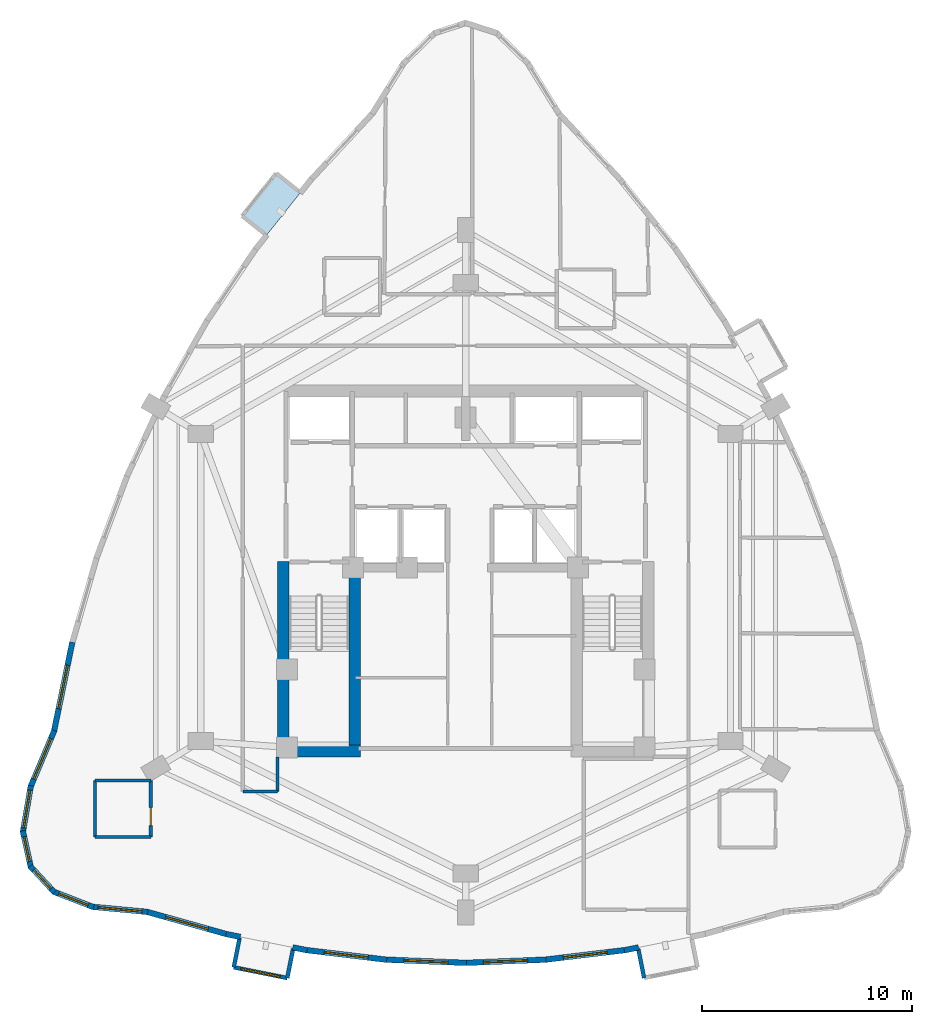
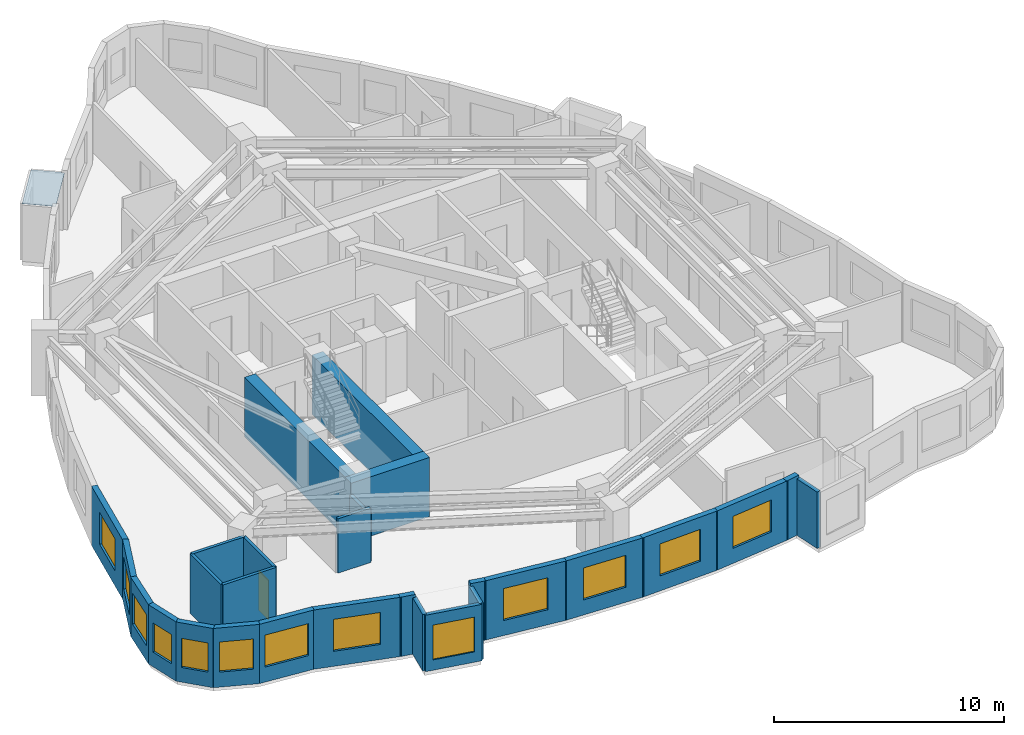
# One storey, part 4 of 9: 28 walls, 13 windows, 1 door, 1 plate, 14 openings.
"""IFC4 building model written with IfcOpenShell, lengths in metres."""

from ifc_helpers import new_model, si_unit, direction, frame, frame_2d, origin, place, context, subcontext, project, spatial, polyline, rectangle, outline, extrude, material, layer, layer_set, type_object, element, fill, save


model = new_model("IFC4")

# Units and contexts
model_context = context("Model", 3, precision=1e-05, world=origin(), true_north=direction((0.0, 1.0)))
body_context = subcontext(model_context, "Body", "Model", "MODEL_VIEW")
ifc_project = project(units=[si_unit("LENGTHUNIT", "METRE"), si_unit("AREAUNIT", "SQUARE_METRE"), si_unit("VOLUMEUNIT", "CUBIC_METRE"), si_unit("PLANEANGLEUNIT", "RADIAN"), si_unit("MASSUNIT", "GRAM", prefix="KILO")], contexts=[model_context])

# Site, building, storey
site_placement = place(None, origin())
site = spatial("IfcSite", under=ifc_project, at=site_placement, CompositionType="ELEMENT")
building_placement = place(site_placement, origin())
building = spatial("IfcBuilding", under=site, at=building_placement, Name="Miruveldt Soraemaru", CompositionType="ELEMENT")
storey_placement = place(building_placement, frame((0.0, 0.0, 180.89990234375)))
storey = spatial("IfcBuildingStorey", under=building, at=storey_placement, Name="L50", CompositionType="ELEMENT", Elevation=180.89990234375)

# Plate
ifc_material_1 = material(Name="Standing-seam titanium-zinc sheet", Category="aluminium")
ifc_layer_1 = layer(ifc_material_1, 0.011962890625, Name="Standing-seam titanium-zinc sheet", Category="aluminium")
ifc_layer_set_1 = layer_set([ifc_layer_1], Name="Standing-seam titanium-zinc sheet")
plate_type = type_object("IfcPlateType", Name="PLT-ZINC-12", PredefinedType="SHEET", material=ifc_layer_set_1)
plate_placement = place(storey_placement, frame((0.0, 0.0, 3.0)))
element("IfcPlate", 1, at=plate_placement, inside=storey, type_object=plate_type, Name="L50 Bay Window Zinc Hood Sheet 4", PredefinedType="SHEET", context=body_context, shape_type="SweptSolid", body=[
    extrude(outline(polyline([(36.142578125, 61.885986328125), (34.521240234375, 59.853515625), (33.3642578125, 60.776611328125), (34.985595703125, 62.80908203125), (36.142578125, 61.885986328125)])), origin(), (0.0, 0.0, 1.0), 0.01220703125),
])

# Walls
ifc_material_2 = material(Name="White powder-coated aluminium EN AW-6060 T6", Category="aluminium")
ifc_layer_2 = layer(ifc_material_2, 0.18994140625, Name="White powder-coated aluminium EN AW-6060 T6", Category="aluminium")
ifc_layer_set_2 = layer_set([ifc_layer_2], Name="White powder-coated aluminium EN AW-6060 T6")
wall_type_1 = type_object("IfcWallType", Name="WALL-BAY-ALU190", PredefinedType="SOLIDWALL", material=ifc_layer_set_2)
for number, where, z_axis, x_axis, name in (
    (2, (33.243896484375, 26.433349609375, 0.0), (0.0, 0.0, 1.0), (-0.195984352603, -0.980607022989, 0.0), "L50 Bay Window Side Cheek 1L"),
    (3, (35.51416015625, 24.526123046875, 0.0), (0.0, 0.0, 1.0), (0.195984352603, 0.980607022989, 0.0), "L50 Bay Window Side Cheek 1R"),
):
    element("IfcWall", number, at=place(storey_placement, frame(where, z_axis=z_axis, x_axis=x_axis)), inside=storey, type_object=wall_type_1, Name=name, PredefinedType="SOLIDWALL", context=body_context, shape_type="SweptSolid", body=[
        extrude(rectangle(XDim=1.425048828125, YDim=0.18994140625, at=frame_2d((0.71240234375, 0.0))), origin(), (0.0, 0.0, 1.0), 3.0),
    ])

# Wall, opening, window
wall_1_placement = place(storey_placement, frame((32.964599609375, 25.035888671875, 0.0), z_axis=(0.0, 0.0, 1.0), x_axis=(0.980591508741, -0.196061962104, 0.0)))
wall_1 = element("IfcWall", 4, at=wall_1_placement, inside=storey, type_object=wall_type_1, Name="L50 Bay Window Front Frame 1", PredefinedType="SOLIDWALL", context=body_context, shape_type="SweptSolid", body=[
    extrude(rectangle(XDim=2.60009765625, YDim=0.18994140625, at=frame_2d((1.300048828125, 0.0))), origin(), (0.0, 0.0, 1.0), 3.0),
])
opening_1_placement = place(wall_1_placement, frame((0.35009765625, 0.0, 0.550048828125)))
opening_1 = element("IfcOpeningElement", 5, at=opening_1_placement, cuts=wall_1, Name="Opening WN-6", PredefinedType="OPENING", context=body_context, shape_type="SweptSolid", body=[
    extrude(rectangle(XDim=1.89990234375, YDim=1.85009765625, at=frame_2d((0.949951171875, 0.925048828125))), frame((0.0, 0.10498046875, 0.0), z_axis=(0.0, -1.0, 0.0), x_axis=(1.0, 0.0, 0.0)), (0.0, 0.0, 1.0), 0.2099609375),
])
ifc_material_3 = material(Name="Triple low-e insulated glazing", Category="glass")
window_type_1 = type_object("IfcWindowType", Name="WIN-BAYW-1900x1850", PartitioningType="SINGLE_PANEL", PredefinedType="WINDOW", material=ifc_material_3)
window_1_placement = place(opening_1_placement, origin())
window_1 = element("IfcWindow", 6, at=window_1_placement, inside=storey, type_object=window_type_1, Name="L50 Projecting Bay Window 1", OverallHeight=1.85009765625, OverallWidth=1.89990234375, PartitioningType="SINGLE_PANEL", PredefinedType="WINDOW", context=body_context, shape_type="SweptSolid", body=[
    extrude(rectangle(XDim=1.89990234375, YDim=1.85009765625, at=frame_2d((0.949951171875, 0.925048828125))), frame((0.0, 0.030029296875, 0.0), z_axis=(0.0, -1.0, 0.0), x_axis=(1.0, 0.0, 0.0)), (0.0, 0.0, 1.0), 0.06005859375),
])
fill(opening_1, window_1)

# Walls
wall_2_placement = place(storey_placement, frame((52.20654296875, 25.923583984375, 0.0), z_axis=(0.0, 0.0, 1.0), x_axis=(0.195984352603, -0.980607022989, 0.0)))
element("IfcWall", 7, at=wall_2_placement, inside=storey, type_object=wall_type_1, Name="L50 Bay Window Side Cheek 2L", PredefinedType="SOLIDWALL", context=body_context, shape_type="SweptSolid", body=[
    extrude(rectangle(XDim=1.425048828125, YDim=0.18994140625, at=frame_2d((0.71240234375, 0.0))), origin(), (0.0, 0.0, 1.0), 3.0),
])
ifc_material_4 = material(Name="Concrete C70/85 (70 MPa)", Category="concrete")
ifc_layer_3 = layer(ifc_material_4, 0.550048828125, Name="Concrete C70/85 (70 MPa)", Category="concrete")
ifc_layer_set_3 = layer_set([ifc_layer_3], Name="Concrete C70/85 (70 MPa)")
wall_type_2 = type_object("IfcWallType", Name="WALL-CW-550", PredefinedType="SHEAR", material=ifc_layer_set_3)
wall_3_placement = place(storey_placement, frame((35.050048828125, 35.324951171875, 0.0), z_axis=(0.0, 0.0, 1.0), x_axis=(1.0, 0.0, 0.0)))
element("IfcWall", 8, at=wall_3_placement, inside=storey, type_object=wall_type_2, Name="L50 Central Core Shear Wall S1", PredefinedType="SHEAR", context=body_context, shape_type="SweptSolid", body=[
    extrude(rectangle(XDim=3.949951171875, YDim=0.550048828125, at=frame_2d((1.97509765625, 0.0))), origin(), (0.0, 0.0, 1.0), 3.150146484375),
])
wall_4_placement = place(storey_placement, frame((35.324951171875, 35.050048828125, 0.0), z_axis=(0.0, 0.0, 1.0), x_axis=(0.0, 1.0, 0.0)))
element("IfcWall", 9, at=wall_4_placement, inside=storey, type_object=wall_type_2, Name="L50 Central Core Shear Wall W1", PredefinedType="SHEAR", context=body_context, shape_type="SweptSolid", body=[
    extrude(rectangle(XDim=9.300048828125, YDim=0.550048828125, at=frame_2d((4.64990234375, 0.0))), origin(), (0.0, 0.0, 1.0), 3.150146484375),
])
wall_5_placement = place(storey_placement, frame((38.72509765625, 35.39990234375, 0.0), z_axis=(0.0, 0.0, 1.0), x_axis=(0.0, 1.0, 0.0)))
element("IfcWall", 10, at=wall_5_placement, inside=storey, type_object=wall_type_2, Name="L50 Central Core Shear Wall SW-INT", PredefinedType="SHEAR", context=body_context, shape_type="SweptSolid", body=[
    extrude(rectangle(XDim=8.9501953125, YDim=0.550048828125, at=frame_2d((4.47509765625, 0.0))), origin(), (0.0, 0.0, 1.0), 3.150146484375),
])

# Wall, opening, window
ifc_material_5 = material(Name="Precast concrete C45/55 (45 MPa)", Category="concrete")
ifc_layer_4 = layer(ifc_material_5, 0.27001953125, Name="Precast concrete C45/55 (45 MPa)", Category="concrete")
ifc_layer_set_4 = layer_set([ifc_layer_4], Name="Precast concrete C45/55 (45 MPa)")
wall_type_3 = type_object("IfcWallType", Name="WALL-EXT-PC270", PredefinedType="SOLIDWALL", material=ifc_layer_set_4)
wall_6_placement = place(storey_placement, frame((25.2890625, 40.505615234375, 0.0), z_axis=(0.0, 0.0, 1.0), x_axis=(-0.201622920586, -0.979463219266, 0.0)))
wall_6 = element("IfcWall", 11, at=wall_6_placement, inside=storey, type_object=wall_type_3, Name="L50 Precast Concrete Facade Wall 14", PredefinedType="SOLIDWALL", context=body_context, shape_type="SweptSolid", body=[
    extrude(rectangle(XDim=4.36279296875, YDim=0.27001953125, at=frame_2d((2.181396484375, 0.0))), origin(), (0.0, 0.0, 1.0), 3.150146484375),
])
opening_2_placement = place(wall_6_placement, frame((1.131103515625, 0.0, 0.800048828125)))
opening_2 = element("IfcOpeningElement", 12, at=opening_2_placement, cuts=wall_6, Name="Opening WN-1", PredefinedType="OPENING", context=body_context, shape_type="SweptSolid", body=[
    extrude(rectangle(XDim=2.10009765625, YDim=1.699951171875, at=frame_2d((1.050048828125, 0.85009765625))), frame((0.0, 0.14501953125, 0.0), z_axis=(0.0, -1.0, 0.0), x_axis=(1.0, 0.0, 0.0)), (0.0, 0.0, 1.0), 0.2900390625),
])
window_type_2 = type_object("IfcWindowType", Name="WIN-PUNCH-2100x1700", PartitioningType="SINGLE_PANEL", PredefinedType="WINDOW", material=ifc_material_3)
window_2_placement = place(opening_2_placement, origin())
window_2 = element("IfcWindow", 13, at=window_2_placement, inside=storey, type_object=window_type_2, Name="L50 Punched Triple-Glazed Window 14.1", OverallHeight=1.699951171875, OverallWidth=2.10009765625, PartitioningType="SINGLE_PANEL", PredefinedType="WINDOW", context=body_context, shape_type="SweptSolid", body=[
    extrude(rectangle(XDim=2.10009765625, YDim=1.699951171875, at=frame_2d((1.050048828125, 0.85009765625))), frame((0.0, 0.030029296875, 0.0), z_axis=(0.0, -1.0, 0.0), x_axis=(1.0, 0.0, 0.0)), (0.0, 0.0, 1.0), 0.06005859375),
])
fill(opening_2, window_2)

wall_7_placement = place(storey_placement, frame((24.43017578125, 36.298828125, 0.0), z_axis=(0.0, 0.0, 1.0), x_axis=(-0.388625089354, -0.921395973469, 0.0)))
wall_7 = element("IfcWall", 14, at=wall_7_placement, inside=storey, type_object=wall_type_3, Name="L50 Precast Concrete Facade Wall 15", PredefinedType="SOLIDWALL", context=body_context, shape_type="SweptSolid", body=[
    extrude(rectangle(XDim=2.919921875, YDim=0.27001953125, at=frame_2d((1.4599609375, 0.0))), origin(), (0.0, 0.0, 1.0), 3.150146484375),
])
opening_3_placement = place(wall_7_placement, frame((0.409912109375, 0.0, 0.800048828125)))
opening_3 = element("IfcOpeningElement", 15, at=opening_3_placement, cuts=wall_7, Name="Opening WN-1", PredefinedType="OPENING", context=body_context, shape_type="SweptSolid", body=[
    extrude(rectangle(XDim=2.10009765625, YDim=1.699951171875, at=frame_2d((1.050048828125, 0.85009765625))), frame((0.0, 0.14501953125, 0.0), z_axis=(0.0, -1.0, 0.0), x_axis=(1.0, 0.0, 0.0)), (0.0, 0.0, 1.0), 0.2900390625),
])
window_3_placement = place(opening_3_placement, origin())
window_3 = element("IfcWindow", 16, at=window_3_placement, inside=storey, type_object=window_type_2, Name="L50 Punched Triple-Glazed Window 15.1", OverallHeight=1.699951171875, OverallWidth=2.10009765625, PartitioningType="SINGLE_PANEL", PredefinedType="WINDOW", context=body_context, shape_type="SweptSolid", body=[
    extrude(rectangle(XDim=2.10009765625, YDim=1.699951171875, at=frame_2d((1.050048828125, 0.85009765625))), frame((0.0, 0.030029296875, 0.0), z_axis=(0.0, -1.0, 0.0), x_axis=(1.0, 0.0, 0.0)), (0.0, 0.0, 1.0), 0.06005859375),
])
fill(opening_3, window_3)

wall_8_placement = place(storey_placement, frame((23.31494140625, 33.675048828125, 0.0), z_axis=(0.0, 0.0, 1.0), x_axis=(-0.169358284126, -0.98555455029, 0.0)))
wall_8 = element("IfcWall", 17, at=wall_8_placement, inside=storey, type_object=wall_type_3, Name="L50 Precast Concrete Facade Wall 16", PredefinedType="SOLIDWALL", context=body_context, shape_type="SweptSolid", body=[
    extrude(rectangle(XDim=2.250244140625, YDim=0.27001953125, at=frame_2d((1.125, 0.0))), origin(), (0.0, 0.0, 1.0), 3.150146484375),
])
opening_4_placement = place(wall_8_placement, frame((0.22509765625, 0.0, 0.800048828125)))
opening_4 = element("IfcOpeningElement", 18, at=opening_4_placement, cuts=wall_8, Name="Opening WN-2", PredefinedType="OPENING", context=body_context, shape_type="SweptSolid", body=[
    extrude(rectangle(XDim=1.800048828125, YDim=1.64990234375, at=frame_2d((0.89990234375, 0.824951171875))), frame((0.0, 0.14501953125, 0.0), z_axis=(0.0, -1.0, 0.0), x_axis=(1.0, 0.0, 0.0)), (0.0, 0.0, 1.0), 0.2900390625),
])
window_type_3 = type_object("IfcWindowType", Name="WIN-PUNCH-1800x1650", PartitioningType="SINGLE_PANEL", PredefinedType="WINDOW", material=ifc_material_3)
window_4_placement = place(opening_4_placement, origin())
window_4 = element("IfcWindow", 19, at=window_4_placement, inside=storey, type_object=window_type_3, Name="L50 Punched Triple-Glazed Window 16.1", OverallHeight=1.64990234375, OverallWidth=1.800048828125, PartitioningType="SINGLE_PANEL", PredefinedType="WINDOW", context=body_context, shape_type="SweptSolid", body=[
    extrude(rectangle(XDim=1.800048828125, YDim=1.64990234375, at=frame_2d((0.89990234375, 0.824951171875))), frame((0.0, 0.030029296875, 0.0), z_axis=(0.0, -1.0, 0.0), x_axis=(1.0, 0.0, 0.0)), (0.0, 0.0, 1.0), 0.06005859375),
])
fill(opening_4, window_4)

wall_9_placement = place(storey_placement, frame((22.93212890625, 31.52587890625, 0.0), z_axis=(0.0, 0.0, 1.0), x_axis=(0.215842043801, -0.976428293387, 0.0)))
wall_9 = element("IfcWall", 20, at=wall_9_placement, inside=storey, type_object=wall_type_3, Name="L50 Precast Concrete Facade Wall 17", PredefinedType="SOLIDWALL", context=body_context, shape_type="SweptSolid", body=[
    extrude(rectangle(XDim=1.781494140625, YDim=0.27001953125, at=frame_2d((0.890625, 0.0))), origin(), (0.0, 0.0, 1.0), 3.150146484375),
])
opening_5_placement = place(wall_9_placement, frame((0.291015625, 0.0, 0.780029296875)))
opening_5 = element("IfcOpeningElement", 21, at=opening_5_placement, cuts=wall_9, Name="Opening WN-4", PredefinedType="OPENING", context=body_context, shape_type="SweptSolid", body=[
    extrude(rectangle(XDim=1.199951171875, YDim=1.550048828125, at=frame_2d((0.60009765625, 0.77490234375))), frame((0.0, 0.14501953125, 0.0), z_axis=(0.0, -1.0, 0.0), x_axis=(1.0, 0.0, 0.0)), (0.0, 0.0, 1.0), 0.2900390625),
])
window_type_4 = type_object("IfcWindowType", Name="WIN-PUNCH-1200x1550", PartitioningType="SINGLE_PANEL", PredefinedType="WINDOW", material=ifc_material_3)
window_5_placement = place(opening_5_placement, origin())
window_5 = element("IfcWindow", 22, at=window_5_placement, inside=storey, type_object=window_type_4, Name="L50 Punched Triple-Glazed Window 17.1", OverallHeight=1.550048828125, OverallWidth=1.199951171875, PartitioningType="SINGLE_PANEL", PredefinedType="WINDOW", context=body_context, shape_type="SweptSolid", body=[
    extrude(rectangle(XDim=1.199951171875, YDim=1.550048828125, at=frame_2d((0.60009765625, 0.77490234375))), frame((0.0, 0.030029296875, 0.0), z_axis=(0.0, -1.0, 0.0), x_axis=(1.0, 0.0, 0.0)), (0.0, 0.0, 1.0), 0.06005859375),
])
fill(opening_5, window_5)

wall_10_placement = place(storey_placement, frame((23.28515625, 29.84619140625, 0.0), z_axis=(0.0, 0.0, 1.0), x_axis=(0.680164360524, -0.73305964469, 0.0)))
wall_10 = element("IfcWall", 23, at=wall_10_placement, inside=storey, type_object=wall_type_3, Name="L50 Precast Concrete Facade Wall 18", PredefinedType="SOLIDWALL", context=body_context, shape_type="SweptSolid", body=[
    extrude(rectangle(XDim=1.698486328125, YDim=0.27001953125, at=frame_2d((0.84912109375, 0.0))), origin(), (0.0, 0.0, 1.0), 3.150146484375),
])
opening_6_placement = place(wall_10_placement, frame((0.2490234375, 0.0, 0.780029296875)))
opening_6 = element("IfcOpeningElement", 24, at=opening_6_placement, cuts=wall_10, Name="Opening WN-4", PredefinedType="OPENING", context=body_context, shape_type="SweptSolid", body=[
    extrude(rectangle(XDim=1.199951171875, YDim=1.550048828125, at=frame_2d((0.60009765625, 0.77490234375))), frame((0.0, 0.14501953125, 0.0), z_axis=(0.0, -1.0, 0.0), x_axis=(1.0, 0.0, 0.0)), (0.0, 0.0, 1.0), 0.2900390625),
])
window_6_placement = place(opening_6_placement, origin())
window_6 = element("IfcWindow", 25, at=window_6_placement, inside=storey, type_object=window_type_4, Name="L50 Punched Triple-Glazed Window 18.1", OverallHeight=1.550048828125, OverallWidth=1.199951171875, PartitioningType="SINGLE_PANEL", PredefinedType="WINDOW", context=body_context, shape_type="SweptSolid", body=[
    extrude(rectangle(XDim=1.199951171875, YDim=1.550048828125, at=frame_2d((0.60009765625, 0.77490234375))), frame((0.0, 0.030029296875, 0.0), z_axis=(0.0, -1.0, 0.0), x_axis=(1.0, 0.0, 0.0)), (0.0, 0.0, 1.0), 0.06005859375),
])
fill(opening_6, window_6)

wall_11_placement = place(storey_placement, frame((24.384033203125, 28.639404296875, 0.0), z_axis=(0.0, 0.0, 1.0), x_axis=(0.93231051002, -0.361658834964, 0.0)))
wall_11 = element("IfcWall", 26, at=wall_11_placement, inside=storey, type_object=wall_type_3, Name="L50 Precast Concrete Facade Wall 19", PredefinedType="SOLIDWALL", context=body_context, shape_type="SweptSolid", body=[
    extrude(rectangle(XDim=2.050048828125, YDim=0.27001953125, at=frame_2d((1.02490234375, 0.0))), origin(), (0.0, 0.0, 1.0), 3.150146484375),
])
opening_7_placement = place(wall_11_placement, frame((0.27490234375, 0.0, 0.800048828125)))
opening_7 = element("IfcOpeningElement", 27, at=opening_7_placement, cuts=wall_11, Name="Opening WN-3", PredefinedType="OPENING", context=body_context, shape_type="SweptSolid", body=[
    extrude(rectangle(XDim=1.5, YDim=1.60009765625, at=frame_2d((0.75, 0.800048828125))), frame((0.0, 0.14501953125, 0.0), z_axis=(0.0, -1.0, 0.0), x_axis=(1.0, 0.0, 0.0)), (0.0, 0.0, 1.0), 0.2900390625),
])
window_type_5 = type_object("IfcWindowType", Name="WIN-PUNCH-1500x1600", PartitioningType="SINGLE_PANEL", PredefinedType="WINDOW", material=ifc_material_3)
window_7_placement = place(opening_7_placement, origin())
window_7 = element("IfcWindow", 28, at=window_7_placement, inside=storey, type_object=window_type_5, Name="L50 Punched Triple-Glazed Window 19.1", OverallHeight=1.60009765625, OverallWidth=1.5, PartitioningType="SINGLE_PANEL", PredefinedType="WINDOW", context=body_context, shape_type="SweptSolid", body=[
    extrude(rectangle(XDim=1.5, YDim=1.60009765625, at=frame_2d((0.75, 0.800048828125))), frame((0.0, 0.030029296875, 0.0), z_axis=(0.0, -1.0, 0.0), x_axis=(1.0, 0.0, 0.0)), (0.0, 0.0, 1.0), 0.06005859375),
])
fill(opening_7, window_7)

wall_12_placement = place(storey_placement, frame((26.227783203125, 27.913818359375, 0.0), z_axis=(0.0, 0.0, 1.0), x_axis=(0.99576306711, -0.091956044829, 0.0)))
wall_12 = element("IfcWall", 29, at=wall_12_placement, inside=storey, type_object=wall_type_3, Name="L50 Precast Concrete Facade Wall 20", PredefinedType="SOLIDWALL", context=body_context, shape_type="SweptSolid", body=[
    extrude(rectangle(XDim=2.66552734375, YDim=0.27001953125, at=frame_2d((1.332763671875, 0.0))), origin(), (0.0, 0.0, 1.0), 3.150146484375),
])
opening_8_placement = place(wall_12_placement, frame((0.282958984375, 0.0, 0.800048828125)))
opening_8 = element("IfcOpeningElement", 30, at=opening_8_placement, cuts=wall_12, Name="Opening WN-1", PredefinedType="OPENING", context=body_context, shape_type="SweptSolid", body=[
    extrude(rectangle(XDim=2.10009765625, YDim=1.699951171875, at=frame_2d((1.050048828125, 0.85009765625))), frame((0.0, 0.14501953125, 0.0), z_axis=(0.0, -1.0, 0.0), x_axis=(1.0, 0.0, 0.0)), (0.0, 0.0, 1.0), 0.2900390625),
])
window_8_placement = place(opening_8_placement, origin())
window_8 = element("IfcWindow", 31, at=window_8_placement, inside=storey, type_object=window_type_2, Name="L50 Punched Triple-Glazed Window 20.1", OverallHeight=1.699951171875, OverallWidth=2.10009765625, PartitioningType="SINGLE_PANEL", PredefinedType="WINDOW", context=body_context, shape_type="SweptSolid", body=[
    extrude(rectangle(XDim=2.10009765625, YDim=1.699951171875, at=frame_2d((1.050048828125, 0.85009765625))), frame((0.0, 0.030029296875, 0.0), z_axis=(0.0, -1.0, 0.0), x_axis=(1.0, 0.0, 0.0)), (0.0, 0.0, 1.0), 0.06005859375),
])
fill(opening_8, window_8)

wall_13_placement = place(storey_placement, frame((28.8134765625, 27.68115234375, 0.0), z_axis=(0.0, 0.0, 1.0), x_axis=(0.962980483018, -0.269571121093, 0.0)))
wall_13 = element("IfcWall", 32, at=wall_13_placement, inside=storey, type_object=wall_type_3, Name="L50 Precast Concrete Facade Wall 21", PredefinedType="SOLIDWALL", context=body_context, shape_type="SweptSolid", body=[
    extrude(rectangle(XDim=4.00390625, YDim=0.27001953125, at=frame_2d((2.001953125, 0.0))), origin(), (0.0, 0.0, 1.0), 3.150146484375),
])
opening_9_placement = place(wall_13_placement, frame((0.951904296875, 0.0, 0.800048828125)))
opening_9 = element("IfcOpeningElement", 33, at=opening_9_placement, cuts=wall_13, Name="Opening WN-1", PredefinedType="OPENING", context=body_context, shape_type="SweptSolid", body=[
    extrude(rectangle(XDim=2.10009765625, YDim=1.699951171875, at=frame_2d((1.050048828125, 0.85009765625))), frame((0.0, 0.14501953125, 0.0), z_axis=(0.0, -1.0, 0.0), x_axis=(1.0, 0.0, 0.0)), (0.0, 0.0, 1.0), 0.2900390625),
])
window_9_placement = place(opening_9_placement, origin())
window_9 = element("IfcWindow", 34, at=window_9_placement, inside=storey, type_object=window_type_2, Name="L50 Punched Triple-Glazed Window 21.1", OverallHeight=1.699951171875, OverallWidth=2.10009765625, PartitioningType="SINGLE_PANEL", PredefinedType="WINDOW", context=body_context, shape_type="SweptSolid", body=[
    extrude(rectangle(XDim=2.10009765625, YDim=1.699951171875, at=frame_2d((1.050048828125, 0.85009765625))), frame((0.0, 0.030029296875, 0.0), z_axis=(0.0, -1.0, 0.0), x_axis=(1.0, 0.0, 0.0)), (0.0, 0.0, 1.0), 0.06005859375),
])
fill(opening_9, window_9)

# Walls
for number, where, z_axis, x_axis, name in (
    (35, (32.60107421875, 26.617919921875, 0.0), (0.0, 0.0, 1.0), (0.980553708883, -0.196250921006, 0.0), "L50 Precast Pier Wall 22A"),
    (36, (35.77490234375, 25.9833984375, 0.0), (0.0, 0.0, 1.0), (0.980553708883, -0.196250921006, 0.0), "L50 Precast Pier Wall 22B"),
):
    element("IfcWall", number, at=place(storey_placement, frame(where, z_axis=z_axis, x_axis=x_axis)), inside=storey, type_object=wall_type_3, Name=name, PredefinedType="SOLIDWALL", context=body_context, shape_type="SweptSolid", body=[
        extrude(rectangle(XDim=0.696533203125, YDim=0.27001953125, at=frame_2d((0.34814453125, 0.0))), origin(), (0.0, 0.0, 1.0), 3.150146484375),
    ])

# Wall, opening, window
wall_14_placement = place(storey_placement, frame((36.388916015625, 25.857666015625, 0.0), z_axis=(0.0, 0.0, 1.0), x_axis=(0.992877730458, -0.119137787289, 0.0)))
wall_14 = element("IfcWall", 37, at=wall_14_placement, inside=storey, type_object=wall_type_3, Name="L50 Precast Concrete Facade Wall 23", PredefinedType="SOLIDWALL", context=body_context, shape_type="SweptSolid", body=[
    extrude(rectangle(XDim=3.88525390625, YDim=0.27001953125, at=frame_2d((1.942626953125, 0.0))), origin(), (0.0, 0.0, 1.0), 3.150146484375),
])
opening_10_placement = place(wall_14_placement, frame((0.89306640625, 0.0, 0.800048828125)))
opening_10 = element("IfcOpeningElement", 38, at=opening_10_placement, cuts=wall_14, Name="Opening WN-1", PredefinedType="OPENING", context=body_context, shape_type="SweptSolid", body=[
    extrude(rectangle(XDim=2.10009765625, YDim=1.699951171875, at=frame_2d((1.050048828125, 0.85009765625))), frame((0.0, 0.14501953125, 0.0), z_axis=(0.0, -1.0, 0.0), x_axis=(1.0, 0.0, 0.0)), (0.0, 0.0, 1.0), 0.2900390625),
])
window_10_placement = place(opening_10_placement, origin())
window_10 = element("IfcWindow", 39, at=window_10_placement, inside=storey, type_object=window_type_2, Name="L50 Punched Triple-Glazed Window 23.1", OverallHeight=1.699951171875, OverallWidth=2.10009765625, PartitioningType="SINGLE_PANEL", PredefinedType="WINDOW", context=body_context, shape_type="SweptSolid", body=[
    extrude(rectangle(XDim=2.10009765625, YDim=1.699951171875, at=frame_2d((1.050048828125, 0.85009765625))), frame((0.0, 0.030029296875, 0.0), z_axis=(0.0, -1.0, 0.0), x_axis=(1.0, 0.0, 0.0)), (0.0, 0.0, 1.0), 0.06005859375),
])
fill(opening_10, window_10)

wall_15_placement = place(storey_placement, frame((40.1767578125, 25.400390625, 0.0), z_axis=(0.0, 0.0, 1.0), x_axis=(0.999201261705, -0.039960463039, 0.0)))
wall_15 = element("IfcWall", 40, at=wall_15_placement, inside=storey, type_object=wall_type_3, Name="L50 Precast Concrete Facade Wall 24", PredefinedType="SOLIDWALL", context=body_context, shape_type="SweptSolid", body=[
    extrude(rectangle(XDim=3.861328125, YDim=0.27001953125, at=frame_2d((1.9306640625, 0.0))), origin(), (0.0, 0.0, 1.0), 3.150146484375),
])
opening_11_placement = place(wall_15_placement, frame((0.881103515625, 0.0, 0.800048828125)))
opening_11 = element("IfcOpeningElement", 41, at=opening_11_placement, cuts=wall_15, Name="Opening WN-1", PredefinedType="OPENING", context=body_context, shape_type="SweptSolid", body=[
    extrude(rectangle(XDim=2.10009765625, YDim=1.699951171875, at=frame_2d((1.050048828125, 0.85009765625))), frame((0.0, 0.14501953125, 0.0), z_axis=(0.0, -1.0, 0.0), x_axis=(1.0, 0.0, 0.0)), (0.0, 0.0, 1.0), 0.2900390625),
])
window_11_placement = place(opening_11_placement, origin())
window_11 = element("IfcWindow", 42, at=window_11_placement, inside=storey, type_object=window_type_2, Name="L50 Punched Triple-Glazed Window 24.1", OverallHeight=1.699951171875, OverallWidth=2.10009765625, PartitioningType="SINGLE_PANEL", PredefinedType="WINDOW", context=body_context, shape_type="SweptSolid", body=[
    extrude(rectangle(XDim=2.10009765625, YDim=1.699951171875, at=frame_2d((1.050048828125, 0.85009765625))), frame((0.0, 0.030029296875, 0.0), z_axis=(0.0, -1.0, 0.0), x_axis=(1.0, 0.0, 0.0)), (0.0, 0.0, 1.0), 0.06005859375),
])
fill(opening_11, window_11)

wall_16_placement = place(storey_placement, frame((43.965087890625, 25.24609375, 0.0), z_axis=(0.0, 0.0, 1.0), x_axis=(0.999201261705, 0.039960463039, 0.0)))
wall_16 = element("IfcWall", 43, at=wall_16_placement, inside=storey, type_object=wall_type_3, Name="L50 Precast Concrete Facade Wall 25", PredefinedType="SOLIDWALL", context=body_context, shape_type="SweptSolid", body=[
    extrude(rectangle(XDim=3.861328125, YDim=0.27001953125, at=frame_2d((1.9306640625, 0.0))), origin(), (0.0, 0.0, 1.0), 3.150146484375),
])
opening_12_placement = place(wall_16_placement, frame((0.881103515625, 0.0, 0.800048828125)))
opening_12 = element("IfcOpeningElement", 44, at=opening_12_placement, cuts=wall_16, Name="Opening WN-1", PredefinedType="OPENING", context=body_context, shape_type="SweptSolid", body=[
    extrude(rectangle(XDim=2.10009765625, YDim=1.699951171875, at=frame_2d((1.050048828125, 0.85009765625))), frame((0.0, 0.14501953125, 0.0), z_axis=(0.0, -1.0, 0.0), x_axis=(1.0, 0.0, 0.0)), (0.0, 0.0, 1.0), 0.2900390625),
])
window_12_placement = place(opening_12_placement, origin())
window_12 = element("IfcWindow", 45, at=window_12_placement, inside=storey, type_object=window_type_2, Name="L50 Punched Triple-Glazed Window 25.1", OverallHeight=1.699951171875, OverallWidth=2.10009765625, PartitioningType="SINGLE_PANEL", PredefinedType="WINDOW", context=body_context, shape_type="SweptSolid", body=[
    extrude(rectangle(XDim=2.10009765625, YDim=1.699951171875, at=frame_2d((1.050048828125, 0.85009765625))), frame((0.0, 0.030029296875, 0.0), z_axis=(0.0, -1.0, 0.0), x_axis=(1.0, 0.0, 0.0)), (0.0, 0.0, 1.0), 0.06005859375),
])
fill(opening_12, window_12)

wall_17_placement = place(storey_placement, frame((47.75341796875, 25.394775390625, 0.0), z_axis=(0.0, 0.0, 1.0), x_axis=(0.992877730458, 0.119137787289, 0.0)))
wall_17 = element("IfcWall", 46, at=wall_17_placement, inside=storey, type_object=wall_type_3, Name="L50 Precast Concrete Facade Wall 26", PredefinedType="SOLIDWALL", context=body_context, shape_type="SweptSolid", body=[
    extrude(rectangle(XDim=3.88525390625, YDim=0.27001953125, at=frame_2d((1.942626953125, 0.0))), origin(), (0.0, 0.0, 1.0), 3.150146484375),
])
opening_13_placement = place(wall_17_placement, frame((0.89306640625, 0.0, 0.800048828125)))
opening_13 = element("IfcOpeningElement", 47, at=opening_13_placement, cuts=wall_17, Name="Opening WN-1", PredefinedType="OPENING", context=body_context, shape_type="SweptSolid", body=[
    extrude(rectangle(XDim=2.10009765625, YDim=1.699951171875, at=frame_2d((1.050048828125, 0.85009765625))), frame((0.0, 0.14501953125, 0.0), z_axis=(0.0, -1.0, 0.0), x_axis=(1.0, 0.0, 0.0)), (0.0, 0.0, 1.0), 0.2900390625),
])
window_13_placement = place(opening_13_placement, origin())
window_13 = element("IfcWindow", 48, at=window_13_placement, inside=storey, type_object=window_type_2, Name="L50 Punched Triple-Glazed Window 26.1", OverallHeight=1.699951171875, OverallWidth=2.10009765625, PartitioningType="SINGLE_PANEL", PredefinedType="WINDOW", context=body_context, shape_type="SweptSolid", body=[
    extrude(rectangle(XDim=2.10009765625, YDim=1.699951171875, at=frame_2d((1.050048828125, 0.85009765625))), frame((0.0, 0.030029296875, 0.0), z_axis=(0.0, -1.0, 0.0), x_axis=(1.0, 0.0, 0.0)), (0.0, 0.0, 1.0), 0.06005859375),
])
fill(opening_13, window_13)

# Wall
wall_18_placement = place(storey_placement, frame((51.5419921875, 25.8466796875, 0.0), z_axis=(0.0, 0.0, 1.0), x_axis=(0.980553708883, 0.196250921006, 0.0)))
element("IfcWall", 49, at=wall_18_placement, inside=storey, type_object=wall_type_3, Name="L50 Precast Pier Wall 27A", PredefinedType="SOLIDWALL", context=body_context, shape_type="SweptSolid", body=[
    extrude(rectangle(XDim=0.696533203125, YDim=0.27001953125, at=frame_2d((0.34814453125, 0.0))), origin(), (0.0, 0.0, 1.0), 3.150146484375),
])

# Wall, opening, door
ifc_material_6 = material(Name="Gypsum plasterboard lining", Category="gypsum")
ifc_layer_5 = layer(ifc_material_6, 0.14990234375, Name="Gypsum plasterboard lining", Category="gypsum")
ifc_layer_set_5 = layer_set([ifc_layer_5], Name="Gypsum plasterboard lining")
wall_type_4 = type_object("IfcWallType", Name="WALL-INT-PLUMB", PredefinedType="PLUMBINGWALL", material=ifc_layer_set_5)
wall_19_placement = place(storey_placement, frame((29.02001953125, 31.22998046875, 0.0), z_axis=(0.0, 0.0, 1.0), x_axis=(0.0, 1.0, 0.0)))
wall_19 = element("IfcWall", 50, at=wall_19_placement, inside=storey, type_object=wall_type_4, Name="L50 Partition Wall 25", PredefinedType="PLUMBINGWALL", context=body_context, shape_type="SweptSolid", body=[
    extrude(rectangle(XDim=2.699951171875, YDim=0.14990234375, at=frame_2d((1.35009765625, 0.0))), origin(), (0.0, 0.0, 1.0), 3.150146484375),
])
opening_14_placement = place(wall_19_placement, frame((0.550048828125, 0.0, 0.0)))
opening_14 = element("IfcOpeningElement", 51, at=opening_14_placement, cuts=wall_19, Name="Opening FD3", PredefinedType="OPENING", context=body_context, shape_type="SweptSolid", body=[
    extrude(rectangle(XDim=0.85009765625, YDim=2.10009765625, at=frame_2d((0.425048828125, 1.050048828125))), frame((0.0, 0.0849609375, 0.0), z_axis=(0.0, -1.0, 0.0), x_axis=(1.0, 0.0, 0.0)), (0.0, 0.0, 1.0), 0.169921875),
])
ifc_material_7 = material(Name="Anodised aluminium EN AW-6063 T6", Category="aluminium")
door_type = type_object("IfcDoorType", Name="DOOR-FD3-850", OperationType="NOTDEFINED", PredefinedType="DOOR", material=ifc_material_7)
door_placement = place(opening_14_placement, origin())
door = element("IfcDoor", 52, at=door_placement, inside=storey, type_object=door_type, Name="L50 Unit CL02 BTH Door", OperationType="SINGLE_SWING_LEFT", OverallHeight=2.10009765625, OverallWidth=0.85009765625, PredefinedType="DOOR", context=body_context, shape_type="SweptSolid", body=[
    extrude(rectangle(XDim=0.85009765625, YDim=2.10009765625, at=frame_2d((0.425048828125, 1.050048828125))), frame((0.0, 0.02490234375, 0.0), z_axis=(0.0, -1.0, 0.0), x_axis=(1.0, 0.0, 0.0)), (0.0, 0.0, 1.0), 0.050048828125),
])
fill(opening_14, door)

# Walls
wall_20_placement = place(storey_placement, frame((26.3701171875, 33.929931640625, 0.0), z_axis=(0.0, 0.0, 1.0), x_axis=(0.0, -1.0, 0.0)))
element("IfcWall", 53, at=wall_20_placement, inside=storey, type_object=wall_type_4, Name="L50 Partition Wall 27", PredefinedType="PLUMBINGWALL", context=body_context, shape_type="SweptSolid", body=[
    extrude(rectangle(XDim=2.699951171875, YDim=0.14990234375, at=frame_2d((1.35009765625, 0.0))), origin(), (0.0, 0.0, 1.0), 3.150146484375),
])
for number, where, z_axis, x_axis, name in (
    (54, (29.02001953125, 33.929931640625, 0.0), (0.0, 0.0, 1.0), (-1.0, 0.0, 0.0), "L50 Partition Wall 26"),
    (55, (26.3701171875, 31.22998046875, 0.0), (0.0, 0.0, 1.0), (1.0, 0.0, 0.0), "L50 Partition Wall 28"),
):
    element("IfcWall", number, at=place(storey_placement, frame(where, z_axis=z_axis, x_axis=x_axis)), inside=storey, type_object=wall_type_4, Name=name, PredefinedType="PLUMBINGWALL", context=body_context, shape_type="SweptSolid", body=[
        extrude(rectangle(XDim=2.64990234375, YDim=0.14990234375, at=frame_2d((1.324951171875, 0.0))), origin(), (0.0, 0.0, 1.0), 3.150146484375),
    ])
ifc_material_8 = material(Name="Concrete C40/50 (40 MPa)", Category="concrete")
ifc_layer_6 = layer(ifc_material_8, 0.159912109375, Name="Concrete C40/50 (40 MPa)", Category="concrete")
ifc_layer_set_6 = layer_set([ifc_layer_6], Name="Concrete C40/50 (40 MPa)")
wall_type_5 = type_object("IfcWallType", Name="WALL-INT-RC160", PredefinedType="SOLIDWALL", material=ifc_layer_set_6)
wall_21_placement = place(storey_placement, frame((33.39990234375, 33.39990234375, 0.0), z_axis=(0.0, 0.0, 1.0), x_axis=(1.0, 0.0, 0.0)))
element("IfcWall", 56, at=wall_21_placement, inside=storey, type_object=wall_type_5, Name="L50 Partition Corner Closure 2", PredefinedType="SOLIDWALL", context=body_context, shape_type="SweptSolid", body=[
    extrude(rectangle(XDim=1.650146484375, YDim=0.159912109375, at=frame_2d((0.8251953125, 0.0))), origin(), (0.0, 0.0, 1.0), 2.88818359375),
])
wall_22_placement = place(storey_placement, frame((35.050048828125, 33.39990234375, 0.0), z_axis=(0.0, 0.0, 1.0), x_axis=(0.0, 1.0, 0.0)))
element("IfcWall", 57, at=wall_22_placement, inside=storey, type_object=wall_type_5, Name="L50 Partition Corner Closure 3", PredefinedType="SOLIDWALL", context=body_context, shape_type="SweptSolid", body=[
    extrude(rectangle(XDim=1.650146484375, YDim=0.159912109375, at=frame_2d((0.8251953125, 0.0))), origin(), (0.0, 0.0, 1.0), 2.550048828125),
])

save(model, "model.ifc")
